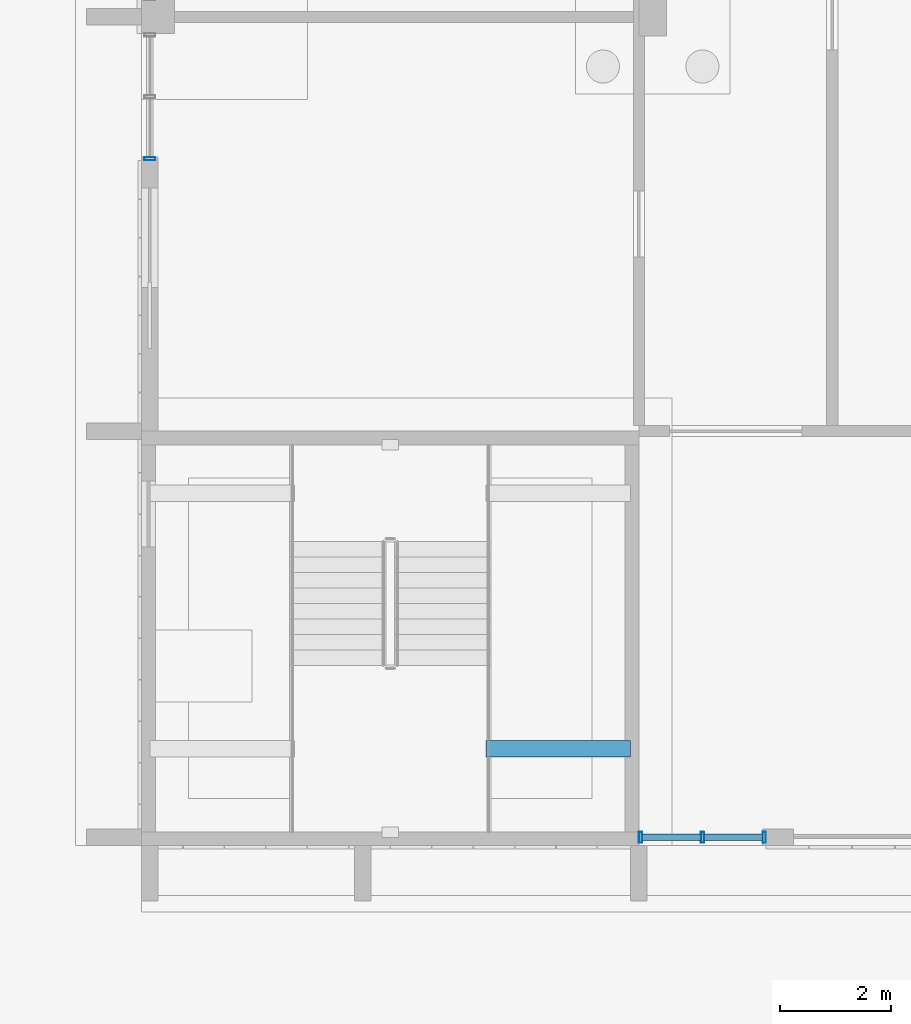
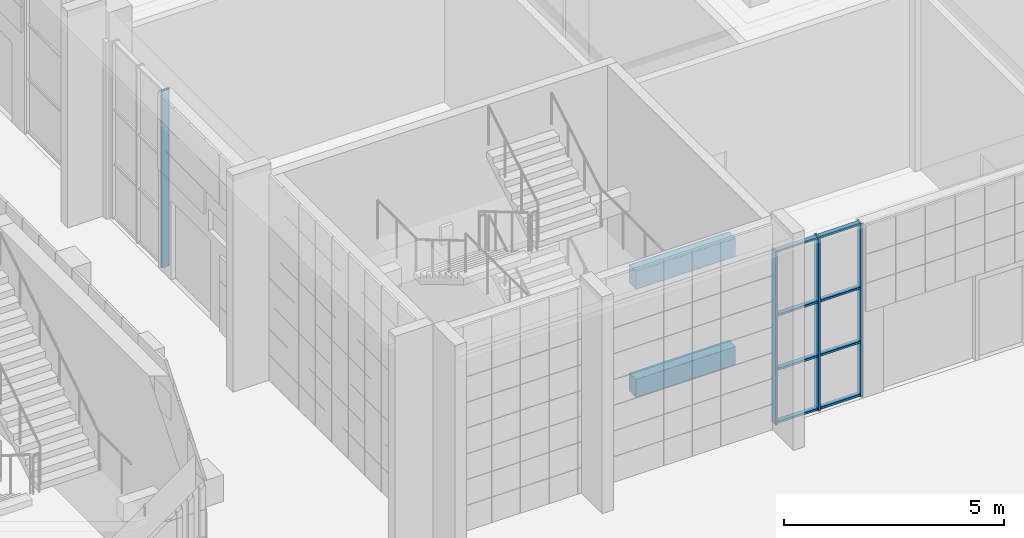
# One storey, part 24 of 125: 12 members, 2 beams, 2 elements without a shape of their own.
"""IFC4 building model written with IfcOpenShell, lengths in metres."""

from ifc_helpers import new_model, si_unit, direction, frame, origin, origin_2d, place, context, subcontext, project, spatial, rectangle, hollow_rectangle, extrude, material, material_profile, profile_set, type_object, element, aggregate, save


model = new_model("IFC4")

# Units and contexts
model_context = context("Model", 3, precision=1e-05, world=origin(), true_north=direction((0.0, 1.0)))
body_context = subcontext(model_context, "Body", "Model", "MODEL_VIEW")
ifc_project = project(units=[si_unit("LENGTHUNIT", "METRE"), si_unit("AREAUNIT", "SQUARE_METRE"), si_unit("VOLUMEUNIT", "CUBIC_METRE"), si_unit("PLANEANGLEUNIT", "RADIAN"), si_unit("MASSUNIT", "GRAM", prefix="KILO")], contexts=[model_context])

# Site, building, storey
site_placement = place(None, origin())
site = spatial("IfcSite", under=ifc_project, at=site_placement, CompositionType="ELEMENT")
building_placement = place(site_placement, origin())
building = spatial("IfcBuilding", under=site, at=building_placement, Name="Sun Court Science Centre", CompositionType="ELEMENT")
storey_placement = place(building_placement, origin())
storey = spatial("IfcBuildingStorey", under=building, at=storey_placement, Name="L00", CompositionType="ELEMENT", Elevation=0.0)

# Curtain wall, member
ifc_material_1 = material(Name="Aluminium EN AW-6063 T6", Category="aluminium")
curtain_wall_type = type_object("IfcCurtainWallType", Name="Laboratory tall bay curtain wall 1500", PredefinedType="NOTDEFINED", material=ifc_material_1)
curtain_wall_1_placement = place(storey_placement, origin())
curtain_wall_1 = element("IfcCurtainWall", 1, at=curtain_wall_1_placement, inside=storey, type_object=curtain_wall_type, Name="Curtain wall V4 W L00 01", PredefinedType="NOTDEFINED")
ifc_material_2 = material(Name="Aluminium EN AW-6063 T6", Category="aluminium")
ifc_material_profile_1 = material_profile(ifc_material_2, hollow_rectangle(XDim=0.06005859375, YDim=0.199951171875, WallThickness=0.0048828125, InnerFilletRadius=0.0048828125, OuterFilletRadius=0.007568359375, at=origin_2d()), Name="AL 60x200x5")
ifc_profile_set_1 = profile_set([ifc_material_profile_1], Name="Aluminium EN AW-6063 T6")
member_type_1 = type_object("IfcMemberType", Name="Curtain wall mullion AL 60x200", PredefinedType="MULLION", material=ifc_profile_set_1)
member_1_placement = place(storey_placement, frame((78.14990234375, 18.429931640625, 0.0), z_axis=(0.0, 0.0, 1.0), x_axis=(0.0, 1.0, 0.0)))
member_1 = element("IfcMember", 2, at=member_1_placement, type_object=member_type_1, Name="CW2-01 mullion 1", PredefinedType="MULLION", context=body_context, shape_type="SweptSolid", body=[
    extrude(hollow_rectangle(XDim=0.06005859375, YDim=0.199951171875, WallThickness=0.0048828125, InnerFilletRadius=0.0048828125, OuterFilletRadius=0.007568359375, at=origin_2d()), origin(), (0.0, 0.0, 1.0), 4.89990234375),
])
aggregate(curtain_wall_1, [member_1])

# Curtain wall, members
curtain_wall_2_placement = place(storey_placement, origin())
curtain_wall_2 = element("IfcCurtainWall", 3, at=curtain_wall_2_placement, inside=storey, type_object=curtain_wall_type, Name="Curtain wall V4 S L00 02", PredefinedType="NOTDEFINED")
member_2_placement = place(storey_placement, frame((87.030029296875, 6.14990234375, 0.0), z_axis=(0.0, 0.0, 1.0), x_axis=(-1.0, 0.0, 0.0)))
member_2 = element("IfcMember", 4, at=member_2_placement, type_object=member_type_1, Name="CW2-48 mullion 3", PredefinedType="MULLION", context=body_context, shape_type="SweptSolid", body=[
    extrude(hollow_rectangle(XDim=0.06005859375, YDim=0.199951171875, WallThickness=0.0048828125, InnerFilletRadius=0.0048828125, OuterFilletRadius=0.007568359375, at=origin_2d()), origin(), (0.0, 0.0, 1.0), 4.800048828125),
])
member_3_placement = place(storey_placement, frame((88.14990234375, 6.14990234375, 0.0), z_axis=(0.0, 0.0, 1.0), x_axis=(-1.0, 0.0, 0.0)))
member_3 = element("IfcMember", 5, at=member_3_placement, type_object=member_type_1, Name="CW2-48 mullion 2", PredefinedType="MULLION", context=body_context, shape_type="SweptSolid", body=[
    extrude(hollow_rectangle(XDim=0.06005859375, YDim=0.199951171875, WallThickness=0.0048828125, InnerFilletRadius=0.0048828125, OuterFilletRadius=0.007568359375, at=origin_2d()), origin(), (0.0, 0.0, 1.0), 4.800048828125),
])
member_4_placement = place(storey_placement, frame((89.27001953125, 6.14990234375, 0.0), z_axis=(0.0, 0.0, 1.0), x_axis=(-1.0, 0.0, 0.0)))
member_4 = element("IfcMember", 6, at=member_4_placement, type_object=member_type_1, Name="CW2-48 mullion 1", PredefinedType="MULLION", context=body_context, shape_type="SweptSolid", body=[
    extrude(hollow_rectangle(XDim=0.06005859375, YDim=0.199951171875, WallThickness=0.0048828125, InnerFilletRadius=0.0048828125, OuterFilletRadius=0.007568359375, at=origin_2d()), origin(), (0.0, 0.0, 1.0), 4.800048828125),
])
ifc_material_3 = material(Name="Aluminium EN AW-6063 T6", Category="aluminium")
ifc_material_profile_2 = material_profile(ifc_material_3, hollow_rectangle(XDim=0.06005859375, YDim=0.1201171875, WallThickness=0.00390625, InnerFilletRadius=0.00390625, OuterFilletRadius=0.006103515625, at=origin_2d()), Name="AL 60x120x4")
ifc_profile_set_2 = profile_set([ifc_material_profile_2], Name="Aluminium EN AW-6063 T6")
member_type_2 = type_object("IfcMemberType", Name="Curtain wall transom AL 60x120", PredefinedType="USERDEFINED", material=ifc_profile_set_2)
member_5_placement = place(storey_placement, frame((88.1201171875, 6.14990234375, 0.030029296875), z_axis=(-1.0, 0.0, 0.0), x_axis=(0.0, 0.0, 1.0)))
member_5 = element("IfcMember", 7, at=member_5_placement, type_object=member_type_2, Name="CW2-48 transom 2.1", ObjectType="TRANSOM", PredefinedType="USERDEFINED", context=body_context, shape_type="SweptSolid", body=[
    extrude(hollow_rectangle(XDim=0.06005859375, YDim=0.1201171875, WallThickness=0.00390625, InnerFilletRadius=0.00390625, OuterFilletRadius=0.006103515625, at=origin_2d()), origin(), (0.0, 0.0, 1.0), 1.06005859375),
])
member_6_placement = place(storey_placement, frame((89.239990234375, 6.14990234375, 0.030029296875), z_axis=(-1.0, 0.0, 0.0), x_axis=(0.0, 0.0, 1.0)))
member_6 = element("IfcMember", 8, at=member_6_placement, type_object=member_type_2, Name="CW2-48 transom 1.1", ObjectType="TRANSOM", PredefinedType="USERDEFINED", context=body_context, shape_type="SweptSolid", body=[
    extrude(hollow_rectangle(XDim=0.06005859375, YDim=0.1201171875, WallThickness=0.00390625, InnerFilletRadius=0.00390625, OuterFilletRadius=0.006103515625, at=origin_2d()), origin(), (0.0, 0.0, 1.0), 1.06005859375),
])
member_7_placement = place(storey_placement, frame((88.1201171875, 6.14990234375, 1.5), z_axis=(-1.0, 0.0, 0.0), x_axis=(0.0, 0.0, 1.0)))
member_7 = element("IfcMember", 9, at=member_7_placement, type_object=member_type_2, Name="CW2-48 transom 2.2", ObjectType="TRANSOM", PredefinedType="USERDEFINED", context=body_context, shape_type="SweptSolid", body=[
    extrude(hollow_rectangle(XDim=0.06005859375, YDim=0.1201171875, WallThickness=0.00390625, InnerFilletRadius=0.00390625, OuterFilletRadius=0.006103515625, at=origin_2d()), origin(), (0.0, 0.0, 1.0), 1.06005859375),
])
member_8_placement = place(storey_placement, frame((89.239990234375, 6.14990234375, 1.5), z_axis=(-1.0, 0.0, 0.0), x_axis=(0.0, 0.0, 1.0)))
member_8 = element("IfcMember", 10, at=member_8_placement, type_object=member_type_2, Name="CW2-48 transom 1.2", ObjectType="TRANSOM", PredefinedType="USERDEFINED", context=body_context, shape_type="SweptSolid", body=[
    extrude(hollow_rectangle(XDim=0.06005859375, YDim=0.1201171875, WallThickness=0.00390625, InnerFilletRadius=0.00390625, OuterFilletRadius=0.006103515625, at=origin_2d()), origin(), (0.0, 0.0, 1.0), 1.06005859375),
])
member_9_placement = place(storey_placement, frame((88.1201171875, 6.14990234375, 3.0), z_axis=(-1.0, 0.0, 0.0), x_axis=(0.0, 0.0, 1.0)))
member_9 = element("IfcMember", 11, at=member_9_placement, type_object=member_type_2, Name="CW2-48 transom 2.3", ObjectType="TRANSOM", PredefinedType="USERDEFINED", context=body_context, shape_type="SweptSolid", body=[
    extrude(hollow_rectangle(XDim=0.06005859375, YDim=0.1201171875, WallThickness=0.00390625, InnerFilletRadius=0.00390625, OuterFilletRadius=0.006103515625, at=origin_2d()), origin(), (0.0, 0.0, 1.0), 1.06005859375),
])
member_10_placement = place(storey_placement, frame((89.239990234375, 6.14990234375, 3.0), z_axis=(-1.0, 0.0, 0.0), x_axis=(0.0, 0.0, 1.0)))
member_10 = element("IfcMember", 12, at=member_10_placement, type_object=member_type_2, Name="CW2-48 transom 1.3", ObjectType="TRANSOM", PredefinedType="USERDEFINED", context=body_context, shape_type="SweptSolid", body=[
    extrude(hollow_rectangle(XDim=0.06005859375, YDim=0.1201171875, WallThickness=0.00390625, InnerFilletRadius=0.00390625, OuterFilletRadius=0.006103515625, at=origin_2d()), origin(), (0.0, 0.0, 1.0), 1.06005859375),
])
member_11_placement = place(storey_placement, frame((88.1201171875, 6.14990234375, 4.77001953125), z_axis=(-1.0, 0.0, 0.0), x_axis=(0.0, 0.0, 1.0)))
member_11 = element("IfcMember", 13, at=member_11_placement, type_object=member_type_2, Name="CW2-48 transom 2.4", ObjectType="TRANSOM", PredefinedType="USERDEFINED", context=body_context, shape_type="SweptSolid", body=[
    extrude(hollow_rectangle(XDim=0.06005859375, YDim=0.1201171875, WallThickness=0.00390625, InnerFilletRadius=0.00390625, OuterFilletRadius=0.006103515625, at=origin_2d()), origin(), (0.0, 0.0, 1.0), 1.06005859375),
])
member_12_placement = place(storey_placement, frame((89.239990234375, 6.14990234375, 4.77001953125), z_axis=(-1.0, 0.0, 0.0), x_axis=(0.0, 0.0, 1.0)))
member_12 = element("IfcMember", 14, at=member_12_placement, type_object=member_type_2, Name="CW2-48 transom 1.4", ObjectType="TRANSOM", PredefinedType="USERDEFINED", context=body_context, shape_type="SweptSolid", body=[
    extrude(hollow_rectangle(XDim=0.06005859375, YDim=0.1201171875, WallThickness=0.00390625, InnerFilletRadius=0.00390625, OuterFilletRadius=0.006103515625, at=origin_2d()), origin(), (0.0, 0.0, 1.0), 1.06005859375),
])
aggregate(curtain_wall_2, [member_2, member_3, member_4, member_5, member_6, member_7, member_8, member_9, member_10, member_11, member_12])

# Beams
ifc_material_4 = material(Name="Concrete C25/30", Category="concrete")
ifc_material_profile_3 = material_profile(ifc_material_4, rectangle(XDim=0.300048828125, YDim=0.5, at=origin_2d()), Name="RC 300x500")
ifc_profile_set_3 = profile_set([ifc_material_profile_3], Name="Concrete C25/30")
beam_type = type_object("IfcBeamType", Name="RC landing trimmer 300x500", PredefinedType="BEAM", material=ifc_profile_set_3)
for number, where, z_axis, x_axis, name in (
    (15, (86.85009765625, 7.756103515625, 1.050048828125), (-1.0, 0.0, 0.0), (0.0, -1.0, 0.0), "SL1 landing 1 trimmer beam 2"),
    (16, (86.85009765625, 7.756103515625, 4.050048828125), (-1.0, 0.0, 0.0), (0.0, -1.0, 0.0), "SL1 landing 3 trimmer beam 8"),
):
    element("IfcBeam", number, at=place(storey_placement, frame(where, z_axis=z_axis, x_axis=x_axis)), inside=storey, type_object=beam_type, Name=name, PredefinedType="BEAM", context=body_context, shape_type="SweptSolid", body=[
        extrude(rectangle(XDim=0.300048828125, YDim=0.5, at=origin_2d()), origin(), (0.0, 0.0, 1.0), 2.6171875),
    ])

save(model, "model.ifc")
